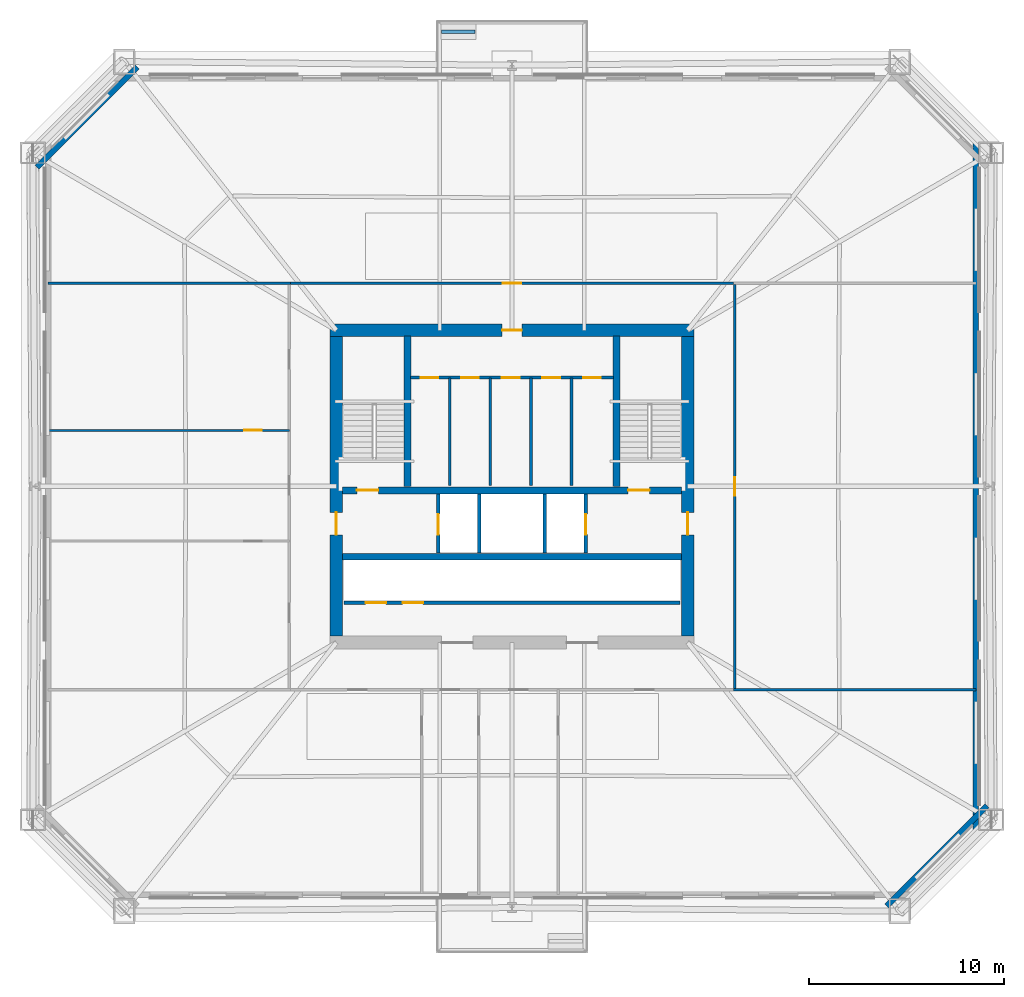
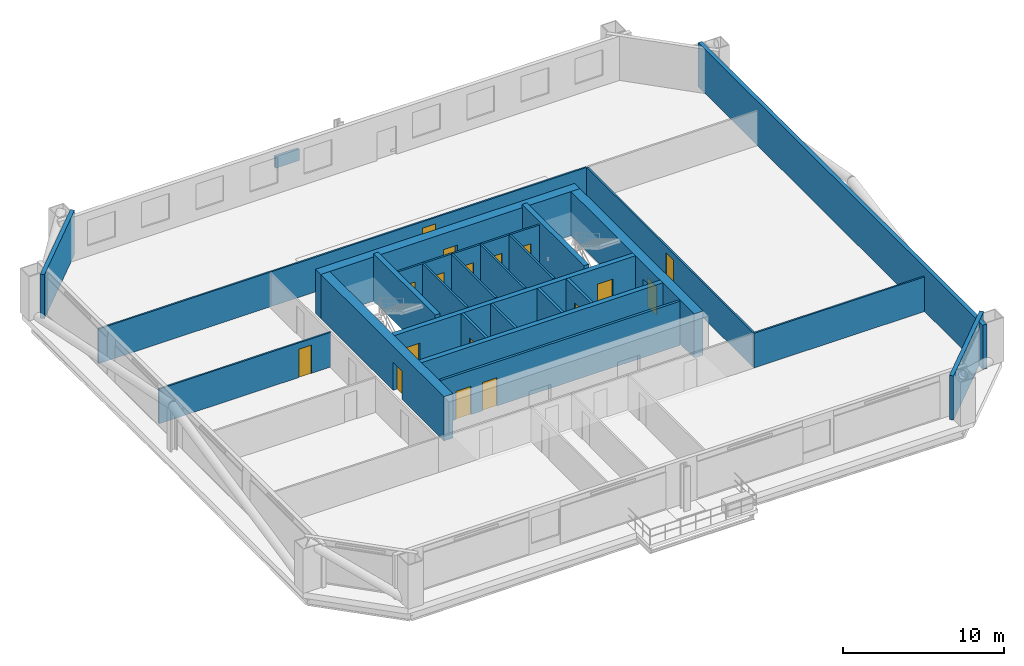
# One storey, part 4 of 7: 26 walls, 17 doors, 17 openings.
"""IFC4 building model written with IfcOpenShell, lengths in metres."""

from ifc_helpers import new_model, si_unit, direction, frame, frame_2d, origin, place, context, subcontext, project, spatial, rectangle, extrude, material, layer, layer_set, type_object, element, fill, save


model = new_model("IFC4")

# Units and contexts
model_context = context("Model", 3, precision=1e-05, world=origin(), true_north=direction((0.0, 1.0)))
body_context = subcontext(model_context, "Body", "Model", "MODEL_VIEW")
ifc_project = project(units=[si_unit("LENGTHUNIT", "METRE"), si_unit("AREAUNIT", "SQUARE_METRE"), si_unit("VOLUMEUNIT", "CUBIC_METRE"), si_unit("PLANEANGLEUNIT", "RADIAN"), si_unit("MASSUNIT", "GRAM", prefix="KILO")], contexts=[model_context])

# Site, building, storey
site_placement = place(None, origin())
site = spatial("IfcSite", under=ifc_project, at=site_placement, CompositionType="ELEMENT")
building_placement = place(site_placement, origin())
building = spatial("IfcBuilding", under=site, at=building_placement, Name="Caelvoria Tower", CompositionType="ELEMENT")
storey_placement = place(building_placement, frame((0.0, 0.0, 38.800048828125)))
storey = spatial("IfcBuildingStorey", under=building, at=storey_placement, Name="L09", CompositionType="ELEMENT", Elevation=38.800048828125)

# Wall
ifc_material_1 = material(Name="Bronze-Clad Concrete C40/50", Category="concrete")
ifc_layer_1 = layer(ifc_material_1, 0.179931640625, Name="Bronze-Clad Concrete C40/50")
ifc_layer_set_1 = layer_set([ifc_layer_1], Name="Architectural Planter Kerb Wall 180 - Bronze-Clad Concrete C40/50")
wall_type_1 = type_object("IfcWallType", Name="Architectural Planter Kerb Wall 180", PredefinedType="PARAPET", material=ifc_layer_set_1)
wall_1_placement = place(storey_placement, frame((42.39990234375, 55.300048828125, 0.0), z_axis=(0.0, 0.0, 1.0), x_axis=(1.0, 0.0, 0.0)))
element("IfcWall", 1, at=wall_1_placement, inside=storey, type_object=wall_type_1, Name="Tree Balcony Planter Kerb PLANTER TB-L09-N", PredefinedType="PARAPET", context=body_context, shape_type="SweptSolid", body=[
    extrude(rectangle(XDim=1.7001953125, YDim=0.179931640625, at=frame_2d((0.85009765625, 0.0))), origin(), (0.0, 0.0, 1.0), 0.8798828125),
])

# Wall, openings, doors
ifc_material_2 = material(Name="Concrete C50/60", Category="concrete")
ifc_layer_2 = layer(ifc_material_2, 0.35009765625, Name="Concrete C50/60")
ifc_layer_set_2 = layer_set([ifc_layer_2], Name="Core Internal Shear Wall 350 - Concrete C50/60")
wall_type_2 = type_object("IfcWallType", Name="Core Internal Shear Wall 350", PredefinedType="SHEAR", material=ifc_layer_set_2)
wall_2_placement = place(storey_placement, frame((37.324951171875, 31.800048828125, 0.0), z_axis=(0.0, 0.0, 1.0), x_axis=(1.0, 0.0, 0.0)))
wall_2 = element("IfcWall", 2, at=wall_2_placement, inside=storey, type_object=wall_type_2, Name="Core Shear Wall L09 M1", PredefinedType="SHEAR", context=body_context, shape_type="SweptSolid", body=[
    extrude(rectangle(XDim=17.35009765625, YDim=0.35009765625, at=frame_2d((8.675048828125, 0.0))), origin(), (0.0, 0.0, 1.0), 3.35986328125),
])
opening_1_placement = place(wall_2_placement, frame((0.72509765625, 0.0, 0.0)))
opening_1 = element("IfcOpeningElement", 3, at=opening_1_placement, cuts=wall_2, Name="Opening ID-01", PredefinedType="OPENING", context=body_context, shape_type="SweptSolid", body=[
    extrude(rectangle(XDim=1.10009765625, YDim=2.14990234375, at=frame_2d((0.550048828125, 1.074951171875))), frame((0.0, 0.18505859375, 0.0), z_axis=(0.0, -1.0, 0.0), x_axis=(1.0, 0.0, 0.0)), (0.0, 0.0, 1.0), 0.3701171875),
])
opening_2_placement = place(wall_2_placement, frame((14.625, 0.0, 0.0)))
opening_2 = element("IfcOpeningElement", 4, at=opening_2_placement, cuts=wall_2, Name="Opening ID-01", PredefinedType="OPENING", context=body_context, shape_type="SweptSolid", body=[
    extrude(rectangle(XDim=1.10009765625, YDim=2.14990234375, at=frame_2d((0.550048828125, 1.074951171875))), frame((0.0, 0.18505859375, 0.0), z_axis=(0.0, -1.0, 0.0), x_axis=(1.0, 0.0, 0.0)), (0.0, 0.0, 1.0), 0.3701171875),
])
ifc_material_3 = material(Name="Painted Hollow Steel Fire Door", Category="steel")
door_type_1 = type_object("IfcDoorType", Name="Fire Door FD90S 1100x2150", OperationType="NOTDEFINED", PredefinedType="DOOR", material=ifc_material_3)
door_1_placement = place(opening_1_placement, origin())
door_1 = element("IfcDoor", 5, at=door_1_placement, inside=storey, type_object=door_type_1, Name="Core Door DR-L09-ST1", OperationType="SINGLE_SWING_LEFT", OverallHeight=2.14990234375, OverallWidth=1.10009765625, PredefinedType="DOOR", context=body_context, shape_type="SweptSolid", body=[
    extrude(rectangle(XDim=1.10009765625, YDim=2.14990234375, at=frame_2d((0.550048828125, 1.074951171875))), frame((0.0, 0.02490234375, 0.0), z_axis=(0.0, -1.0, 0.0), x_axis=(1.0, 0.0, 0.0)), (0.0, 0.0, 1.0), 0.050048828125),
])
fill(opening_1, door_1)
door_2_placement = place(opening_2_placement, origin())
door_2 = element("IfcDoor", 6, at=door_2_placement, inside=storey, type_object=door_type_1, Name="Core Door DR-L09-ST2", OperationType="SINGLE_SWING_RIGHT", OverallHeight=2.14990234375, OverallWidth=1.10009765625, PredefinedType="DOOR", context=body_context, shape_type="SweptSolid", body=[
    extrude(rectangle(XDim=1.10009765625, YDim=2.14990234375, at=frame_2d((0.550048828125, 1.074951171875))), frame((0.0, 0.02490234375, 0.0), z_axis=(0.0, -1.0, 0.0), x_axis=(1.0, 0.0, 0.0)), (0.0, 0.0, 1.0), 0.050048828125),
])
fill(opening_2, door_2)

# Walls
wall_3_placement = place(storey_placement, frame((37.324951171875, 28.39990234375, 0.0), z_axis=(0.0, 0.0, 1.0), x_axis=(1.0, 0.0, 0.0)))
element("IfcWall", 7, at=wall_3_placement, inside=storey, type_object=wall_type_2, Name="Core Shear Wall L09 M2", PredefinedType="SHEAR", context=body_context, shape_type="SweptSolid", body=[
    extrude(rectangle(XDim=17.35009765625, YDim=0.35009765625, at=frame_2d((8.675048828125, 0.0))), origin(), (0.0, 0.0, 1.0), 3.35986328125),
])
for number, where, z_axis, x_axis, name in (
    (8, (40.64990234375, 32.0, 0.0), (0.0, 0.0, 1.0), (0.0, 1.0, 0.0), "Interior Partition IW-L09-ST1E"),
    (9, (51.35009765625, 32.0, 0.0), (0.0, 0.0, 1.0), (0.0, 1.0, 0.0), "Interior Partition IW-L09-ST2W"),
):
    element("IfcWall", number, at=place(storey_placement, frame(where, z_axis=z_axis, x_axis=x_axis)), inside=storey, type_object=wall_type_2, Name=name, PredefinedType="SHEAR", context=body_context, shape_type="SweptSolid", body=[
        extrude(rectangle(XDim=7.699951171875, YDim=0.35009765625, at=frame_2d((3.85009765625, 0.0))), origin(), (0.0, 0.0, 1.0), 3.599853515625),
    ])
ifc_material_4 = material(Name="Moisture-Resistant Gypsum on Steel Stud", Category="steel")
ifc_layer_3 = layer(ifc_material_4, 0.139892578125, Name="Moisture-Resistant Gypsum on Steel Stud")
ifc_layer_set_3 = layer_set([ifc_layer_3], Name="Core Sanitary Acoustic Partition Wall 140 - Moisture-Resistant Gypsum on Steel Stud")
wall_type_3 = type_object("IfcWallType", Name="Core Sanitary Acoustic Partition Wall 140", PredefinedType="PARTITIONING", material=ifc_layer_set_3)
for number, where, z_axis, x_axis, name in (
    (10, (42.81005859375, 32.050048828125, 0.0), (0.0, 0.0, 1.0), (0.0, 1.0, 0.0), "Interior Partition IW-L09-C1V0"),
    (11, (44.889892578125, 32.050048828125, 0.0), (0.0, 0.0, 1.0), (0.0, 1.0, 0.0), "Interior Partition IW-L09-C1V1"),
    (12, (46.969970703125, 32.050048828125, 0.0), (0.0, 0.0, 1.0), (0.0, 1.0, 0.0), "Interior Partition IW-L09-C1V2"),
    (13, (49.050048828125, 32.050048828125, 0.0), (0.0, 0.0, 1.0), (0.0, 1.0, 0.0), "Interior Partition IW-L09-C1V3"),
):
    element("IfcWall", number, at=place(storey_placement, frame(where, z_axis=z_axis, x_axis=x_axis)), inside=storey, type_object=wall_type_3, Name=name, PredefinedType="PARTITIONING", context=body_context, shape_type="SweptSolid", body=[
        extrude(rectangle(XDim=5.5, YDim=0.139892578125, at=frame_2d((2.75, 0.0))), origin(), (0.0, 0.0, 1.0), 3.35986328125),
    ])

# Wall, openings, doors
wall_4_placement = place(storey_placement, frame((40.800048828125, 37.580078125, 0.0), z_axis=(0.0, 0.0, 1.0), x_axis=(1.0, 0.0, 0.0)))
wall_4 = element("IfcWall", 14, at=wall_4_placement, inside=storey, type_object=wall_type_3, Name="Interior Partition IW-L09-C1H", PredefinedType="PARTITIONING", context=body_context, shape_type="SweptSolid", body=[
    extrude(rectangle(XDim=10.39990234375, YDim=0.139892578125, at=frame_2d((5.199951171875, 0.0))), origin(), (0.0, 0.0, 1.0), 3.35986328125),
])
opening_3_placement = place(wall_4_placement, frame((0.52001953125, 0.0, 0.0)))
opening_3 = element("IfcOpeningElement", 15, at=opening_3_placement, cuts=wall_4, Name="Opening ID-06", PredefinedType="OPENING", context=body_context, shape_type="SweptSolid", body=[
    extrude(rectangle(XDim=0.89990234375, YDim=2.14990234375, at=frame_2d((0.449951171875, 1.074951171875))), frame((0.0, 0.079833984375, 0.0), z_axis=(0.0, -1.0, 0.0), x_axis=(1.0, 0.0, 0.0)), (0.0, 0.0, 1.0), 0.159912109375),
])
opening_4_placement = place(wall_4_placement, frame((2.60009765625, 0.0, 0.0)))
opening_4 = element("IfcOpeningElement", 16, at=opening_4_placement, cuts=wall_4, Name="Opening ID-06", PredefinedType="OPENING", context=body_context, shape_type="SweptSolid", body=[
    extrude(rectangle(XDim=0.89990234375, YDim=2.14990234375, at=frame_2d((0.449951171875, 1.074951171875))), frame((0.0, 0.079833984375, 0.0), z_axis=(0.0, -1.0, 0.0), x_axis=(1.0, 0.0, 0.0)), (0.0, 0.0, 1.0), 0.159912109375),
])
opening_5_placement = place(wall_4_placement, frame((4.679931640625, 0.0, 0.0)))
opening_5 = element("IfcOpeningElement", 17, at=opening_5_placement, cuts=wall_4, Name="Opening ID-07", PredefinedType="OPENING", context=body_context, shape_type="SweptSolid", body=[
    extrude(rectangle(XDim=0.919921875, YDim=2.14990234375, at=frame_2d((0.4599609375, 1.074951171875))), frame((0.0, 0.079833984375, 0.0), z_axis=(0.0, -1.0, 0.0), x_axis=(1.0, 0.0, 0.0)), (0.0, 0.0, 1.0), 0.159912109375),
])
opening_6_placement = place(wall_4_placement, frame((6.760009765625, 0.0, 0.0)))
opening_6 = element("IfcOpeningElement", 18, at=opening_6_placement, cuts=wall_4, Name="Opening ID-06", PredefinedType="OPENING", context=body_context, shape_type="SweptSolid", body=[
    extrude(rectangle(XDim=0.89990234375, YDim=2.14990234375, at=frame_2d((0.449951171875, 1.074951171875))), frame((0.0, 0.079833984375, 0.0), z_axis=(0.0, -1.0, 0.0), x_axis=(1.0, 0.0, 0.0)), (0.0, 0.0, 1.0), 0.159912109375),
])
opening_7_placement = place(wall_4_placement, frame((8.840087890625, 0.0, 0.0)))
opening_7 = element("IfcOpeningElement", 19, at=opening_7_placement, cuts=wall_4, Name="Opening ID-06", PredefinedType="OPENING", context=body_context, shape_type="SweptSolid", body=[
    extrude(rectangle(XDim=0.89990234375, YDim=2.14990234375, at=frame_2d((0.449951171875, 1.074951171875))), frame((0.0, 0.079833984375, 0.0), z_axis=(0.0, -1.0, 0.0), x_axis=(1.0, 0.0, 0.0)), (0.0, 0.0, 1.0), 0.159912109375),
])
ifc_material_5 = material(Name="Engineered Andean Oak Accessible Door", Category="wood")
door_type_2 = type_object("IfcDoorType", Name="Accessible WC Door 950x2150", OperationType="NOTDEFINED", PredefinedType="DOOR", material=ifc_material_5)
door_3_placement = place(opening_5_placement, origin())
door_3 = element("IfcDoor", 20, at=door_3_placement, inside=storey, type_object=door_type_2, Name="Interior Door DR-L09-C1-3", OperationType="SINGLE_SWING_LEFT", OverallHeight=2.14990234375, OverallWidth=0.919921875, PredefinedType="DOOR", context=body_context, shape_type="SweptSolid", body=[
    extrude(rectangle(XDim=0.919921875, YDim=2.14990234375, at=frame_2d((0.4599609375, 1.074951171875))), frame((0.0, 0.02490234375, 0.0), z_axis=(0.0, -1.0, 0.0), x_axis=(1.0, 0.0, 0.0)), (0.0, 0.0, 1.0), 0.050048828125),
])
fill(opening_5, door_3)
ifc_material_6 = material(Name="Engineered Andean Oak Veneer Door", Category="wood")
door_type_3 = type_object("IfcDoorType", Name="Interior Timber Door 900x2150", OperationType="NOTDEFINED", PredefinedType="DOOR", material=ifc_material_6)
door_4_placement = place(opening_3_placement, origin())
door_4 = element("IfcDoor", 21, at=door_4_placement, inside=storey, type_object=door_type_3, Name="Interior Door DR-L09-C1-1", OperationType="SINGLE_SWING_LEFT", OverallHeight=2.14990234375, OverallWidth=0.89990234375, PredefinedType="DOOR", context=body_context, shape_type="SweptSolid", body=[
    extrude(rectangle(XDim=0.89990234375, YDim=2.14990234375, at=frame_2d((0.449951171875, 1.074951171875))), frame((0.0, 0.02490234375, 0.0), z_axis=(0.0, -1.0, 0.0), x_axis=(1.0, 0.0, 0.0)), (0.0, 0.0, 1.0), 0.050048828125),
])
fill(opening_3, door_4)
door_5_placement = place(opening_4_placement, origin())
door_5 = element("IfcDoor", 22, at=door_5_placement, inside=storey, type_object=door_type_3, Name="Interior Door DR-L09-C1-2", OperationType="SINGLE_SWING_RIGHT", OverallHeight=2.14990234375, OverallWidth=0.89990234375, PredefinedType="DOOR", context=body_context, shape_type="SweptSolid", body=[
    extrude(rectangle(XDim=0.89990234375, YDim=2.14990234375, at=frame_2d((0.449951171875, 1.074951171875))), frame((0.0, 0.02490234375, 0.0), z_axis=(0.0, -1.0, 0.0), x_axis=(1.0, 0.0, 0.0)), (0.0, 0.0, 1.0), 0.050048828125),
])
fill(opening_4, door_5)
door_6_placement = place(opening_6_placement, origin())
door_6 = element("IfcDoor", 23, at=door_6_placement, inside=storey, type_object=door_type_3, Name="Interior Door DR-L09-C1-4", OperationType="SINGLE_SWING_RIGHT", OverallHeight=2.14990234375, OverallWidth=0.89990234375, PredefinedType="DOOR", context=body_context, shape_type="SweptSolid", body=[
    extrude(rectangle(XDim=0.89990234375, YDim=2.14990234375, at=frame_2d((0.449951171875, 1.074951171875))), frame((0.0, 0.02490234375, 0.0), z_axis=(0.0, -1.0, 0.0), x_axis=(1.0, 0.0, 0.0)), (0.0, 0.0, 1.0), 0.050048828125),
])
fill(opening_6, door_6)
door_7_placement = place(opening_7_placement, origin())
door_7 = element("IfcDoor", 24, at=door_7_placement, inside=storey, type_object=door_type_3, Name="Interior Door DR-L09-C1-5", OperationType="SINGLE_SWING_LEFT", OverallHeight=2.14990234375, OverallWidth=0.89990234375, PredefinedType="DOOR", context=body_context, shape_type="SweptSolid", body=[
    extrude(rectangle(XDim=0.89990234375, YDim=2.14990234375, at=frame_2d((0.449951171875, 1.074951171875))), frame((0.0, 0.02490234375, 0.0), z_axis=(0.0, -1.0, 0.0), x_axis=(1.0, 0.0, 0.0)), (0.0, 0.0, 1.0), 0.050048828125),
])
fill(opening_7, door_7)

# Walls
ifc_material_7 = material(Name="Precast Concrete C40/50 with Bronze Cladding", Category="concrete")
ifc_layer_4 = layer(ifc_material_7, 0.280029296875, Name="Precast Concrete C40/50 with Bronze Cladding")
ifc_layer_set_4 = layer_set([ifc_layer_4], Name="Exterior Precast Concrete C40/50 Bronze-Clad Facade Wall 280 - Precast Concrete C40/50 with Bronze Cladding")
wall_type_4 = type_object("IfcWallType", Name="Exterior Precast Concrete C40/50 Bronze-Clad Facade Wall 280", PredefinedType="STANDARD", material=ifc_layer_set_4)
wall_5_placement = place(storey_placement, frame((65.20458984375, 10.506103515625, 0.0), z_axis=(0.0, 0.0, 1.0), x_axis=(0.707106781187, 0.707106781187, 0.0)))
element("IfcWall", 25, at=wall_5_placement, inside=storey, type_object=wall_type_4, Name="Exterior Facade Wall L09-E1", PredefinedType="STANDARD", context=body_context, shape_type="SweptSolid", body=[
    extrude(rectangle(XDim=7.268310546875, YDim=0.280029296875, at=frame_2d((3.63427734375, 0.0))), origin(), (0.0, 0.0, 1.0), 3.35986328125),
])
wall_6_placement = place(storey_placement, frame((69.77001953125, 14.260009765625, 0.0), z_axis=(0.0, 0.0, 1.0), x_axis=(0.0, 1.0, 0.0)))
element("IfcWall", 26, at=wall_6_placement, inside=storey, type_object=wall_type_4, Name="Exterior Facade Wall L09-E2", PredefinedType="STANDARD", context=body_context, shape_type="SweptSolid", body=[
    extrude(rectangle(XDim=35.47998046875, YDim=0.280029296875, at=frame_2d((17.739990234375, 0.0))), origin(), (0.0, 0.0, 1.0), 3.35986328125),
])
wall_7_placement = place(storey_placement, frame((26.79541015625, 53.493896484375, 0.0), z_axis=(0.0, 0.0, 1.0), x_axis=(-0.707106781187, -0.707106781187, 0.0)))
element("IfcWall", 27, at=wall_7_placement, inside=storey, type_object=wall_type_4, Name="Exterior Facade Wall L09-E5", PredefinedType="STANDARD", context=body_context, shape_type="SweptSolid", body=[
    extrude(rectangle(XDim=7.268310546875, YDim=0.280029296875, at=frame_2d((3.63427734375, 0.0))), origin(), (0.0, 0.0, 1.0), 3.35986328125),
])
ifc_material_8 = material(Name="Concrete Block and Fireboard Assembly", Category="concrete")
ifc_layer_5 = layer(ifc_material_8, 0.179931640625, Name="Concrete Block and Fireboard Assembly")
ifc_layer_set_5 = layer_set([ifc_layer_5], Name="Fire-Rated Hoistway Partition Wall 180 - Concrete Block and Fireboard Assembly")
wall_type_5 = type_object("IfcWallType", Name="Fire-Rated Hoistway Partition Wall 180", PredefinedType="PARTITIONING", material=ifc_layer_set_5)
for number, where, z_axis, x_axis, name in (
    (28, (44.320068359375, 28.580078125, 0.0), (0.0, 0.0, 1.0), (0.0, 1.0, 0.0), "Interior Partition IW-L09-SV1W"),
    (29, (47.679931640625, 28.580078125, 0.0), (0.0, 0.0, 1.0), (0.0, 1.0, 0.0), "Interior Partition IW-L09-SV1E"),
):
    element("IfcWall", number, at=place(storey_placement, frame(where, z_axis=z_axis, x_axis=x_axis)), inside=storey, type_object=wall_type_5, Name=name, PredefinedType="PARTITIONING", context=body_context, shape_type="SweptSolid", body=[
        extrude(rectangle(XDim=3.0400390625, YDim=0.179931640625, at=frame_2d((1.52001953125, 0.0))), origin(), (0.0, 0.0, 1.0), 3.35986328125),
    ])

# Wall, openings, doors
wall_8_placement = place(storey_placement, frame((37.39990234375, 26.050048828125, 0.0), z_axis=(0.0, 0.0, 1.0), x_axis=(1.0, 0.0, 0.0)))
wall_8 = element("IfcWall", 30, at=wall_8_placement, inside=storey, type_object=wall_type_5, Name="Interior Partition IW-L09-LFRONT", PredefinedType="PARTITIONING", context=body_context, shape_type="SweptSolid", body=[
    extrude(rectangle(XDim=17.2001953125, YDim=0.179931640625, at=frame_2d((8.60009765625, 0.0))), origin(), (0.0, 0.0, 1.0), 3.35986328125),
])
opening_8_placement = place(wall_8_placement, frame((1.10009765625, 0.0, 0.0)))
opening_8 = element("IfcOpeningElement", 31, at=opening_8_placement, cuts=wall_8, Name="Opening LD-01", PredefinedType="OPENING", context=body_context, shape_type="SweptSolid", body=[
    extrude(rectangle(XDim=1.050048828125, YDim=2.14990234375, at=frame_2d((0.52490234375, 1.074951171875))), frame((0.0, 0.099853515625, 0.0), z_axis=(0.0, -1.0, 0.0), x_axis=(1.0, 0.0, 0.0)), (0.0, 0.0, 1.0), 0.199951171875),
])
opening_9_placement = place(wall_8_placement, frame((3.0, 0.0, 0.0)))
opening_9 = element("IfcOpeningElement", 32, at=opening_9_placement, cuts=wall_8, Name="Opening LD-01", PredefinedType="OPENING", context=body_context, shape_type="SweptSolid", body=[
    extrude(rectangle(XDim=1.050048828125, YDim=2.14990234375, at=frame_2d((0.52490234375, 1.074951171875))), frame((0.0, 0.099853515625, 0.0), z_axis=(0.0, -1.0, 0.0), x_axis=(1.0, 0.0, 0.0)), (0.0, 0.0, 1.0), 0.199951171875),
])
ifc_material_9 = material(Name="Brushed Bronze Stainless Sliding Landing Door", Category="aluminium")
door_type_4 = type_object("IfcDoorType", Name="Lift Landing Sliding Door 1100x2150", OperationType="NOTDEFINED", PredefinedType="DOOR", material=ifc_material_9)
door_8_placement = place(opening_8_placement, origin())
door_8 = element("IfcDoor", 33, at=door_8_placement, inside=storey, type_object=door_type_4, Name="Interior Door LD-L09-PL1", OperationType="SLIDING_TO_LEFT", OverallHeight=2.14990234375, OverallWidth=1.050048828125, PredefinedType="DOOR", context=body_context, shape_type="SweptSolid", body=[
    extrude(rectangle(XDim=1.050048828125, YDim=2.14990234375, at=frame_2d((0.52490234375, 1.074951171875))), frame((0.0, 0.02490234375, 0.0), z_axis=(0.0, -1.0, 0.0), x_axis=(1.0, 0.0, 0.0)), (0.0, 0.0, 1.0), 0.050048828125),
])
fill(opening_8, door_8)
door_9_placement = place(opening_9_placement, origin())
door_9 = element("IfcDoor", 34, at=door_9_placement, inside=storey, type_object=door_type_4, Name="Interior Door LD-L09-PL2", OperationType="SLIDING_TO_RIGHT", OverallHeight=2.14990234375, OverallWidth=1.050048828125, PredefinedType="DOOR", context=body_context, shape_type="SweptSolid", body=[
    extrude(rectangle(XDim=1.050048828125, YDim=2.14990234375, at=frame_2d((0.52490234375, 1.074951171875))), frame((0.0, 0.02490234375, 0.0), z_axis=(0.0, -1.0, 0.0), x_axis=(1.0, 0.0, 0.0)), (0.0, 0.0, 1.0), 0.050048828125),
])
fill(opening_9, door_9)

# Wall, opening, door
ifc_layer_6 = layer(ifc_material_8, 0.199951171875, Name="Concrete Block and Fireboard Assembly")
ifc_layer_set_6 = layer_set([ifc_layer_6], Name="Fire-Rated Shaft and Core Partition Wall 200 - Concrete Block and Fireboard Assembly")
wall_type_6 = type_object("IfcWallType", Name="Fire-Rated Shaft and Core Partition Wall 200", PredefinedType="PARTITIONING", material=ifc_layer_set_6)
wall_9_placement = place(storey_placement, frame((42.219970703125, 28.580078125, 0.0), z_axis=(0.0, 0.0, 1.0), x_axis=(0.0, 1.0, 0.0)))
wall_9 = element("IfcWall", 35, at=wall_9_placement, inside=storey, type_object=wall_type_6, Name="Interior Partition IW-L09-LF1W", PredefinedType="PARTITIONING", context=body_context, shape_type="SweptSolid", body=[
    extrude(rectangle(XDim=3.0400390625, YDim=0.199951171875, at=frame_2d((1.52001953125, 0.0))), origin(), (0.0, 0.0, 1.0), 3.35986328125),
])
opening_10_placement = place(wall_9_placement, frame((0.949951171875, 0.0, 0.0)))
opening_10 = element("IfcOpeningElement", 36, at=opening_10_placement, cuts=wall_9, Name="Opening LD-01", PredefinedType="OPENING", context=body_context, shape_type="SweptSolid", body=[
    extrude(rectangle(XDim=1.050048828125, YDim=2.14990234375, at=frame_2d((0.52490234375, 1.074951171875))), frame((0.0, 0.10986328125, 0.0), z_axis=(0.0, -1.0, 0.0), x_axis=(1.0, 0.0, 0.0)), (0.0, 0.0, 1.0), 0.219970703125),
])
door_10_placement = place(opening_10_placement, origin())
door_10 = element("IfcDoor", 37, at=door_10_placement, inside=storey, type_object=door_type_4, Name="Interior Door LD-L09-LF1", OperationType="SLIDING_TO_LEFT", OverallHeight=2.14990234375, OverallWidth=1.050048828125, PredefinedType="DOOR", context=body_context, shape_type="SweptSolid", body=[
    extrude(rectangle(XDim=1.050048828125, YDim=2.14990234375, at=frame_2d((0.52490234375, 1.074951171875))), frame((0.0, 0.02490234375, 0.0), z_axis=(0.0, -1.0, 0.0), x_axis=(1.0, 0.0, 0.0)), (0.0, 0.0, 1.0), 0.050048828125),
])
fill(opening_10, door_10)

wall_10_placement = place(storey_placement, frame((49.780029296875, 28.580078125, 0.0), z_axis=(0.0, 0.0, 1.0), x_axis=(0.0, 1.0, 0.0)))
wall_10 = element("IfcWall", 38, at=wall_10_placement, inside=storey, type_object=wall_type_6, Name="Interior Partition IW-L09-LF2E", PredefinedType="PARTITIONING", context=body_context, shape_type="SweptSolid", body=[
    extrude(rectangle(XDim=3.0400390625, YDim=0.199951171875, at=frame_2d((1.52001953125, 0.0))), origin(), (0.0, 0.0, 1.0), 3.35986328125),
])
opening_11_placement = place(wall_10_placement, frame((0.949951171875, 0.0, 0.0)))
opening_11 = element("IfcOpeningElement", 39, at=opening_11_placement, cuts=wall_10, Name="Opening LD-01", PredefinedType="OPENING", context=body_context, shape_type="SweptSolid", body=[
    extrude(rectangle(XDim=1.050048828125, YDim=2.14990234375, at=frame_2d((0.52490234375, 1.074951171875))), frame((0.0, 0.10986328125, 0.0), z_axis=(0.0, -1.0, 0.0), x_axis=(1.0, 0.0, 0.0)), (0.0, 0.0, 1.0), 0.219970703125),
])
door_11_placement = place(opening_11_placement, origin())
door_11 = element("IfcDoor", 40, at=door_11_placement, inside=storey, type_object=door_type_4, Name="Interior Door LD-L09-LF2", OperationType="SLIDING_TO_RIGHT", OverallHeight=2.14990234375, OverallWidth=1.050048828125, PredefinedType="DOOR", context=body_context, shape_type="SweptSolid", body=[
    extrude(rectangle(XDim=1.050048828125, YDim=2.14990234375, at=frame_2d((0.52490234375, 1.074951171875))), frame((0.0, 0.02490234375, 0.0), z_axis=(0.0, -1.0, 0.0), x_axis=(1.0, 0.0, 0.0)), (0.0, 0.0, 1.0), 0.050048828125),
])
fill(opening_11, door_11)

ifc_material_10 = material(Name="Concrete C60/75", Category="concrete")
ifc_layer_7 = layer(ifc_material_10, 0.64990234375, Name="Concrete C60/75")
ifc_layer_set_7 = layer_set([ifc_layer_7], Name="Lower Core Shear Wall 650 - Concrete C60/75")
wall_type_7 = type_object("IfcWallType", Name="Lower Core Shear Wall 650", PredefinedType="SHEAR", material=ifc_layer_set_7)
wall_11_placement = place(storey_placement, frame((36.675048828125, 40.0, 0.0), z_axis=(0.0, 0.0, 1.0), x_axis=(1.0, 0.0, 0.0)))
wall_11 = element("IfcWall", 41, at=wall_11_placement, inside=storey, type_object=wall_type_7, Name="Core Shear Wall L09 N", PredefinedType="SHEAR", context=body_context, shape_type="SweptSolid", body=[
    extrude(rectangle(XDim=18.64990234375, YDim=0.64990234375, at=frame_2d((9.324951171875, 0.0))), origin(), (0.0, 0.0, 1.0), 3.35986328125),
])
opening_12_placement = place(wall_11_placement, frame((8.824951171875, 0.0, 0.0)))
opening_12 = element("IfcOpeningElement", 42, at=opening_12_placement, cuts=wall_11, Name="Opening ID-03", PredefinedType="OPENING", context=body_context, shape_type="SweptSolid", body=[
    extrude(rectangle(XDim=1.0, YDim=2.14990234375, at=frame_2d((0.5, 1.074951171875))), frame((0.0, 0.3349609375, 0.0), z_axis=(0.0, -1.0, 0.0), x_axis=(1.0, 0.0, 0.0)), (0.0, 0.0, 1.0), 0.669921875),
])
door_type_5 = type_object("IfcDoorType", Name="Fire Door FD60S 1000x2150", OperationType="NOTDEFINED", PredefinedType="DOOR", material=ifc_material_3)
door_12_placement = place(opening_12_placement, origin())
door_12 = element("IfcDoor", 43, at=door_12_placement, inside=storey, type_object=door_type_5, Name="Core Door DR-L09-WC-MAIN", OperationType="SINGLE_SWING_RIGHT", OverallHeight=2.14990234375, OverallWidth=1.0, PredefinedType="DOOR", context=body_context, shape_type="SweptSolid", body=[
    extrude(rectangle(XDim=1.0, YDim=2.14990234375, at=frame_2d((0.5, 1.074951171875))), frame((0.0, 0.02490234375, 0.0), z_axis=(0.0, -1.0, 0.0), x_axis=(1.0, 0.0, 0.0)), (0.0, 0.0, 1.0), 0.050048828125),
])
fill(opening_12, door_12)

wall_12_placement = place(storey_placement, frame((37.0, 24.324951171875, 0.0), z_axis=(0.0, 0.0, 1.0), x_axis=(0.0, 1.0, 0.0)))
wall_12 = element("IfcWall", 44, at=wall_12_placement, inside=storey, type_object=wall_type_7, Name="Core Shear Wall L09 W", PredefinedType="SHEAR", context=body_context, shape_type="SweptSolid", body=[
    extrude(rectangle(XDim=15.35009765625, YDim=0.64990234375, at=frame_2d((7.675048828125, 0.0))), origin(), (0.0, 0.0, 1.0), 3.35986328125),
])
opening_13_placement = place(wall_12_placement, frame((5.199951171875, 0.0, 0.0)))
opening_13 = element("IfcOpeningElement", 45, at=opening_13_placement, cuts=wall_12, Name="Opening ID-02", PredefinedType="OPENING", context=body_context, shape_type="SweptSolid", body=[
    extrude(rectangle(XDim=1.14990234375, YDim=2.14990234375, at=frame_2d((0.574951171875, 1.074951171875))), frame((0.0, 0.3349609375, 0.0), z_axis=(0.0, -1.0, 0.0), x_axis=(1.0, 0.0, 0.0)), (0.0, 0.0, 1.0), 0.669921875),
])
door_type_6 = type_object("IfcDoorType", Name="Fire Door FD60S 1150x2150", OperationType="NOTDEFINED", PredefinedType="DOOR", material=ifc_material_3)
door_13_placement = place(opening_13_placement, origin())
door_13 = element("IfcDoor", 46, at=door_13_placement, inside=storey, type_object=door_type_6, Name="Core Door DR-L09-FFLW-OUT", OperationType="SINGLE_SWING_LEFT", OverallHeight=2.14990234375, OverallWidth=1.14990234375, PredefinedType="DOOR", context=body_context, shape_type="SweptSolid", body=[
    extrude(rectangle(XDim=1.14990234375, YDim=2.14990234375, at=frame_2d((0.574951171875, 1.074951171875))), frame((0.0, 0.02490234375, 0.0), z_axis=(0.0, -1.0, 0.0), x_axis=(1.0, 0.0, 0.0)), (0.0, 0.0, 1.0), 0.050048828125),
])
fill(opening_13, door_13)

wall_13_placement = place(storey_placement, frame((55.0, 24.324951171875, 0.0), z_axis=(0.0, 0.0, 1.0), x_axis=(0.0, 1.0, 0.0)))
wall_13 = element("IfcWall", 47, at=wall_13_placement, inside=storey, type_object=wall_type_7, Name="Core Shear Wall L09 E", PredefinedType="SHEAR", context=body_context, shape_type="SweptSolid", body=[
    extrude(rectangle(XDim=15.35009765625, YDim=0.64990234375, at=frame_2d((7.675048828125, 0.0))), origin(), (0.0, 0.0, 1.0), 3.35986328125),
])
opening_14_placement = place(wall_13_placement, frame((5.199951171875, 0.0, 0.0)))
opening_14 = element("IfcOpeningElement", 48, at=opening_14_placement, cuts=wall_13, Name="Opening ID-02", PredefinedType="OPENING", context=body_context, shape_type="SweptSolid", body=[
    extrude(rectangle(XDim=1.14990234375, YDim=2.14990234375, at=frame_2d((0.574951171875, 1.074951171875))), frame((0.0, 0.3349609375, 0.0), z_axis=(0.0, -1.0, 0.0), x_axis=(1.0, 0.0, 0.0)), (0.0, 0.0, 1.0), 0.669921875),
])
door_14_placement = place(opening_14_placement, origin())
door_14 = element("IfcDoor", 49, at=door_14_placement, inside=storey, type_object=door_type_6, Name="Core Door DR-L09-FFLE-OUT", OperationType="SINGLE_SWING_RIGHT", OverallHeight=2.14990234375, OverallWidth=1.14990234375, PredefinedType="DOOR", context=body_context, shape_type="SweptSolid", body=[
    extrude(rectangle(XDim=1.14990234375, YDim=2.14990234375, at=frame_2d((0.574951171875, 1.074951171875))), frame((0.0, 0.02490234375, 0.0), z_axis=(0.0, -1.0, 0.0), x_axis=(1.0, 0.0, 0.0)), (0.0, 0.0, 1.0), 0.050048828125),
])
fill(opening_14, door_14)

ifc_material_11 = material(Name="Acoustic Gypsum Board on Light-Gauge Stud", Category="gypsum")
ifc_layer_8 = layer(ifc_material_11, 0.1201171875, Name="Acoustic Gypsum Board on Light-Gauge Stud")
ifc_layer_set_8 = layer_set([ifc_layer_8], Name="Tenant Suite Acoustic Partition Wall 120 - Acoustic Gypsum Board on Light-Gauge Stud")
wall_type_8 = type_object("IfcWallType", Name="Tenant Suite Acoustic Partition Wall 120", PredefinedType="PARTITIONING", material=ifc_layer_set_8)
wall_14_placement = place(storey_placement, frame((34.64990234375, 42.409912109375, 0.0), z_axis=(0.0, 0.0, 1.0), x_axis=(1.0, 0.0, 0.0)))
wall_14 = element("IfcWall", 50, at=wall_14_placement, inside=storey, type_object=wall_type_8, Name="Interior Partition IW-L09-NCW-0", PredefinedType="PARTITIONING", context=body_context, shape_type="SweptSolid", body=[
    extrude(rectangle(XDim=22.7001953125, YDim=0.1201171875, at=frame_2d((11.35009765625, 0.0))), origin(), (0.0, 0.0, 1.0), 2.639892578125),
])
opening_15_placement = place(wall_14_placement, frame((10.875, 0.0, 0.0)))
opening_15 = element("IfcOpeningElement", 51, at=opening_15_placement, cuts=wall_14, Name="Opening ID-05", PredefinedType="OPENING", context=body_context, shape_type="SweptSolid", body=[
    extrude(rectangle(XDim=0.949951171875, YDim=2.14990234375, at=frame_2d((0.47509765625, 1.074951171875))), frame((0.0, 0.070068359375, 0.0), z_axis=(0.0, -1.0, 0.0), x_axis=(1.0, 0.0, 0.0)), (0.0, 0.0, 1.0), 0.14013671875),
])
door_type_7 = type_object("IfcDoorType", Name="Interior Timber Door 950x2150", OperationType="NOTDEFINED", PredefinedType="DOOR", material=ifc_material_6)
door_15_placement = place(opening_15_placement, origin())
door_15 = element("IfcDoor", 52, at=door_15_placement, inside=storey, type_object=door_type_7, Name="Interior Door DR-L09-NC-00-0", OperationType="SINGLE_SWING_RIGHT", OverallHeight=2.14990234375, OverallWidth=0.949951171875, PredefinedType="DOOR", context=body_context, shape_type="SweptSolid", body=[
    extrude(rectangle(XDim=0.949951171875, YDim=2.14990234375, at=frame_2d((0.47509765625, 1.074951171875))), frame((0.0, 0.02490234375, 0.0), z_axis=(0.0, -1.0, 0.0), x_axis=(1.0, 0.0, 0.0)), (0.0, 0.0, 1.0), 0.050048828125),
])
fill(opening_15, door_15)

wall_15_placement = place(storey_placement, frame((34.590087890625, 34.87060546875, 0.0), z_axis=(0.0, 0.0, 1.0), x_axis=(-1.0, 0.0, 0.0)))
wall_15 = element("IfcWall", 53, at=wall_15_placement, inside=storey, type_object=wall_type_8, Name="Interior Partition IW-L09-WD-01-0", PredefinedType="PARTITIONING", context=body_context, shape_type="SweptSolid", body=[
    extrude(rectangle(XDim=12.360107421875, YDim=0.1201171875, at=frame_2d((6.18017578125, 0.0))), origin(), (0.0, 0.0, 1.0), 2.639892578125),
])
opening_16_placement = place(wall_15_placement, frame((1.39990234375, 0.0, 0.0)))
opening_16 = element("IfcOpeningElement", 54, at=opening_16_placement, cuts=wall_15, Name="Opening ID-06", PredefinedType="OPENING", context=body_context, shape_type="SweptSolid", body=[
    extrude(rectangle(XDim=0.89990234375, YDim=2.14990234375, at=frame_2d((0.449951171875, 1.074951171875))), frame((0.0, 0.070068359375, 0.0), z_axis=(0.0, -1.0, 0.0), x_axis=(1.0, 0.0, 0.0)), (0.0, 0.0, 1.0), 0.14013671875),
])
door_16_placement = place(opening_16_placement, origin())
door_16 = element("IfcDoor", 55, at=door_16_placement, inside=storey, type_object=door_type_3, Name="Interior Door DR-L09-WM-01-0", OperationType="SINGLE_SWING_LEFT", OverallHeight=2.14990234375, OverallWidth=0.89990234375, PredefinedType="DOOR", context=body_context, shape_type="SweptSolid", body=[
    extrude(rectangle(XDim=0.89990234375, YDim=2.14990234375, at=frame_2d((0.449951171875, 1.074951171875))), frame((0.0, 0.02490234375, 0.0), z_axis=(0.0, -1.0, 0.0), x_axis=(1.0, 0.0, 0.0)), (0.0, 0.0, 1.0), 0.050048828125),
])
fill(opening_16, door_16)

wall_16_placement = place(storey_placement, frame((57.409912109375, 21.64990234375, 0.0), z_axis=(0.0, 0.0, 1.0), x_axis=(0.0, 1.0, 0.0)))
wall_16 = element("IfcWall", 56, at=wall_16_placement, inside=storey, type_object=wall_type_8, Name="Interior Partition IW-L09-ECW-0", PredefinedType="PARTITIONING", context=body_context, shape_type="SweptSolid", body=[
    extrude(rectangle(XDim=20.7001953125, YDim=0.1201171875, at=frame_2d((10.35009765625, 0.0))), origin(), (0.0, 0.0, 1.0), 2.639892578125),
])
opening_17_placement = place(wall_16_placement, frame((9.875, 0.0, 0.0)))
opening_17 = element("IfcOpeningElement", 57, at=opening_17_placement, cuts=wall_16, Name="Opening ID-05", PredefinedType="OPENING", context=body_context, shape_type="SweptSolid", body=[
    extrude(rectangle(XDim=0.949951171875, YDim=2.14990234375, at=frame_2d((0.47509765625, 1.074951171875))), frame((0.0, 0.070068359375, 0.0), z_axis=(0.0, -1.0, 0.0), x_axis=(1.0, 0.0, 0.0)), (0.0, 0.0, 1.0), 0.14013671875),
])
door_17_placement = place(opening_17_placement, origin())
door_17 = element("IfcDoor", 58, at=door_17_placement, inside=storey, type_object=door_type_7, Name="Interior Door DR-L09-EC-00-0", OperationType="SINGLE_SWING_RIGHT", OverallHeight=2.14990234375, OverallWidth=0.949951171875, PredefinedType="DOOR", context=body_context, shape_type="SweptSolid", body=[
    extrude(rectangle(XDim=0.949951171875, YDim=2.14990234375, at=frame_2d((0.47509765625, 1.074951171875))), frame((0.0, 0.02490234375, 0.0), z_axis=(0.0, -1.0, 0.0), x_axis=(1.0, 0.0, 0.0)), (0.0, 0.0, 1.0), 0.050048828125),
])
fill(opening_17, door_17)

# Walls
for number, where, z_axis, x_axis, name in (
    (59, (57.35009765625, 21.590087890625, 0.0), (0.0, 0.0, 1.0), (1.0, 0.0, 0.0), "Interior Partition IW-L09-BSE-0"),
    (60, (34.64990234375, 42.409912109375, 0.0), (0.0, 0.0, 1.0), (-1.0, 0.0, 0.0), "Interior Partition IW-L09-BNW-0"),
):
    element("IfcWall", number, at=place(storey_placement, frame(where, z_axis=z_axis, x_axis=x_axis)), inside=storey, type_object=wall_type_8, Name=name, PredefinedType="PARTITIONING", context=body_context, shape_type="SweptSolid", body=[
        extrude(rectangle(XDim=12.419921875, YDim=0.1201171875, at=frame_2d((6.2099609375, 0.0))), origin(), (0.0, 0.0, 1.0), 2.639892578125),
    ])

save(model, "model.ifc")
